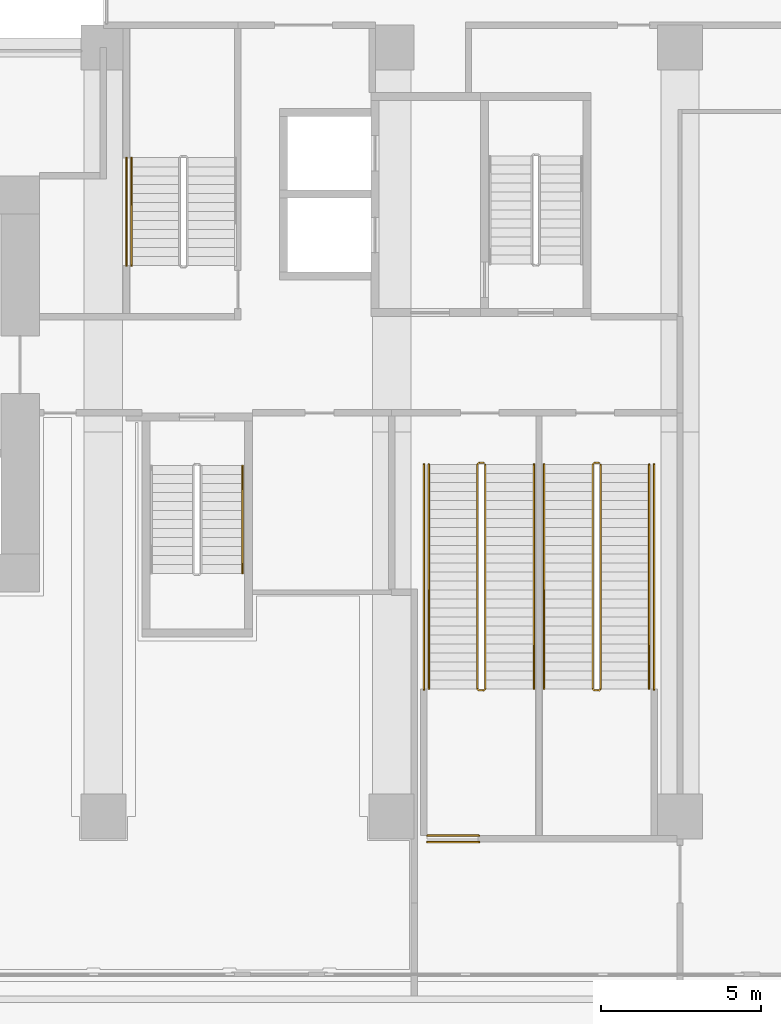
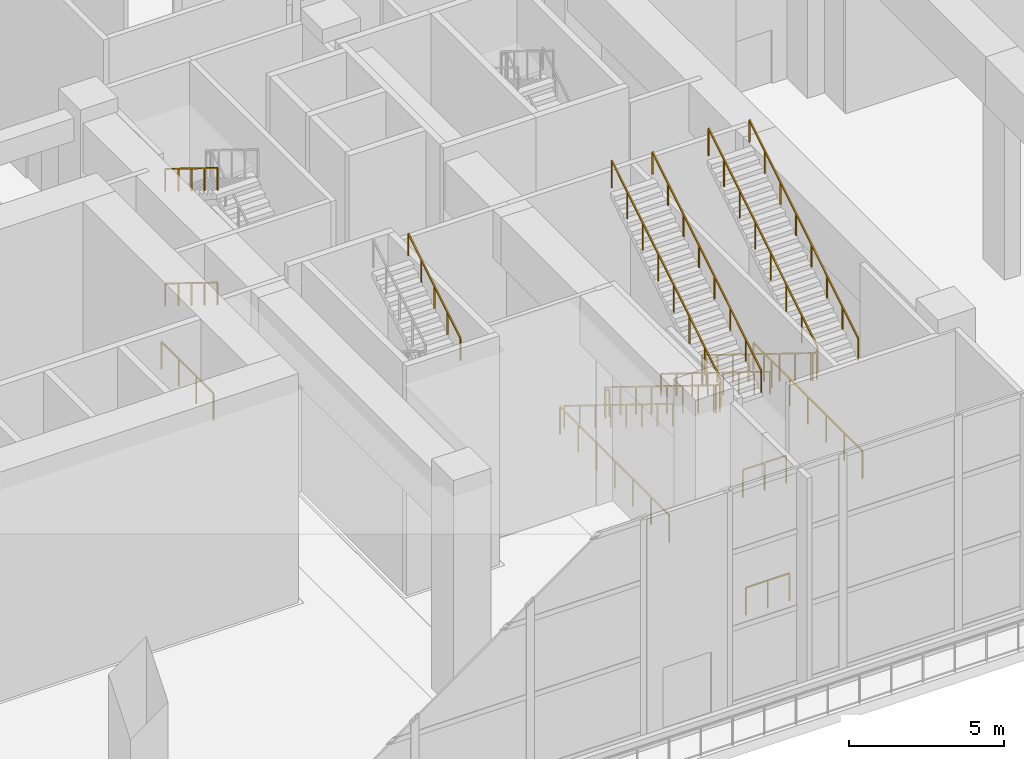
# One storey, part 22 of 28: 14 railings.
"""IFC4 building model written with IfcOpenShell, lengths in metres."""

from ifc_helpers import new_model, si_unit, direction, frame, origin, origin_2d, place, context, subcontext, project, spatial, rectangle, extrude, material, type_object, element, save


model = new_model("IFC4")

# Units and contexts
model_context = context("Model", 3, precision=1e-05, world=origin(), true_north=direction((0.0, 1.0)))
body_context = subcontext(model_context, "Body", "Model", "MODEL_VIEW")
ifc_project = project(units=[si_unit("LENGTHUNIT", "METRE"), si_unit("AREAUNIT", "SQUARE_METRE"), si_unit("VOLUMEUNIT", "CUBIC_METRE"), si_unit("PLANEANGLEUNIT", "RADIAN"), si_unit("MASSUNIT", "GRAM", prefix="KILO")], contexts=[model_context])

# Site, building, storey
site_placement = place(None, origin())
site = spatial("IfcSite", under=ifc_project, at=site_placement, CompositionType="ELEMENT")
building_placement = place(site_placement, origin())
building = spatial("IfcBuilding", under=site, at=building_placement, Name="Chenar Terraces", CompositionType="ELEMENT")
storey_placement = place(building_placement, frame((0.0, 0.0, 26.39990234375)))
storey = spatial("IfcBuildingStorey", under=building, at=storey_placement, Name="L05", CompositionType="ELEMENT", Elevation=26.39990234375)

# Railings
ifc_material_1 = material(Name="Powder-coated steel", Category="steel")
railing_type_1 = type_object("IfcRailingType", Name="Stair guard 1100", PredefinedType="GUARDRAIL", material=ifc_material_1)
railing_1_placement = place(storey_placement, frame((51.52490234375, 10.985107421875, 9.0)))
element("IfcRailing", 1, at=railing_1_placement, inside=storey, type_object=railing_type_1, Name="L05 PS2 stair guard 1", PredefinedType="GUARDRAIL", context=body_context, shape_type="SweptSolid", body=[
    extrude(rectangle(XDim=0.048095703125, YDim=0.048095703125, at=origin_2d()), frame((0.0, 0.0, 1.076171875), z_axis=(0.0, -0.850614592968, -0.525789705328), x_axis=(1.0, 0.0, 0.0)), (0.0, 0.0, 1.0), 8.229248046875),
    extrude(rectangle(XDim=0.048095703125, YDim=0.048095703125, at=origin_2d()), frame((0.0, -7.0, -3.2509765625), z_axis=(-0.266417085129, -0.267723051232, -0.925929967433), x_axis=(0.708833529934, -0.705375805398, 0.0)), (0.0, 0.0, 1.0), 0.18701171875),
    extrude(rectangle(XDim=0.048095703125, YDim=0.048095703125, at=origin_2d()), frame((-0.0498046875, -7.050048828125, -3.423828125), z_axis=(-1.0, 0.0, 0.0), x_axis=(0.0, -1.0, 0.0)), (0.0, 0.0, 1.0), 0.150146484375),
    extrude(rectangle(XDim=0.048095703125, YDim=0.048095703125, at=origin_2d()), frame((-0.199951171875, -7.050048828125, -3.423828125), z_axis=(-0.707106781187, 0.707106781187, 0.0), x_axis=(-0.707106781187, -0.707106781187, 0.0)), (0.0, 0.0, 1.0), 0.07080078125),
    extrude(rectangle(XDim=0.048095703125, YDim=0.048095703125, at=origin_2d()), frame((-0.25, -7.0, -3.423828125), z_axis=(0.0, 0.850614592968, -0.525789705328), x_axis=(-1.0, 0.0, 0.0)), (0.0, 0.0, 1.0), 8.229248046875),
    extrude(rectangle(XDim=0.048095703125, YDim=0.048095703125, at=origin_2d()), frame((-0.25, 0.0, -7.7509765625), z_axis=(0.267723051232, 0.266417085129, -0.925929967433), x_axis=(-0.705375805398, 0.708833529934, 0.0)), (0.0, 0.0, 1.0), 0.18701171875),
    extrude(rectangle(XDim=0.048095703125, YDim=0.048095703125, at=origin_2d()), frame((-0.199951171875, 0.0498046875, -7.923828125), z_axis=(1.0, 0.0, 0.0), x_axis=(0.0, 1.0, 0.0)), (0.0, 0.0, 1.0), 0.150146484375),
    extrude(rectangle(XDim=0.0419921875, YDim=0.0419921875, at=origin_2d()), origin(), (0.0, 0.0, 1.0), 1.052001953125),
    extrude(rectangle(XDim=0.0419921875, YDim=0.0419921875, at=origin_2d()), frame((0.0, -1.0, -0.6181640625)), (0.0, 0.0, 1.0), 1.052001953125),
    extrude(rectangle(XDim=0.0419921875, YDim=0.0419921875, at=origin_2d()), frame((0.0, -2.0, -1.236328125)), (0.0, 0.0, 1.0), 1.052001953125),
    extrude(rectangle(XDim=0.0419921875, YDim=0.0419921875, at=origin_2d()), frame((0.0, -3.0, -1.8544921875)), (0.0, 0.0, 1.0), 1.052001953125),
    extrude(rectangle(XDim=0.0419921875, YDim=0.0419921875, at=origin_2d()), frame((0.0, -4.0, -2.472412109375)), (0.0, 0.0, 1.0), 1.052001953125),
    extrude(rectangle(XDim=0.0419921875, YDim=0.0419921875, at=origin_2d()), frame((0.0, -5.0, -3.090576171875)), (0.0, 0.0, 1.0), 1.052001953125),
    extrude(rectangle(XDim=0.0419921875, YDim=0.0419921875, at=origin_2d()), frame((0.0, -6.0, -3.708740234375)), (0.0, 0.0, 1.0), 1.052001953125),
    extrude(rectangle(XDim=0.0419921875, YDim=0.0419921875, at=origin_2d()), frame((0.0, -7.0, -4.326904296875)), (0.0, 0.0, 1.0), 1.052001953125),
    extrude(rectangle(XDim=0.0419921875, YDim=0.0419921875, at=origin_2d()), frame((-0.0498046875, -7.050048828125, -4.5)), (0.0, 0.0, 1.0), 1.052001953125),
    extrude(rectangle(XDim=0.0419921875, YDim=0.0419921875, at=origin_2d()), frame((-0.199951171875, -7.050048828125, -4.5)), (0.0, 0.0, 1.0), 1.052001953125),
    extrude(rectangle(XDim=0.0419921875, YDim=0.0419921875, at=origin_2d()), frame((-0.25, -7.0, -4.5)), (0.0, 0.0, 1.0), 1.052001953125),
    extrude(rectangle(XDim=0.0419921875, YDim=0.0419921875, at=origin_2d()), frame((-0.25, -6.0, -5.1181640625)), (0.0, 0.0, 1.0), 1.052001953125),
    extrude(rectangle(XDim=0.0419921875, YDim=0.0419921875, at=origin_2d()), frame((-0.25, -5.0, -5.736328125)), (0.0, 0.0, 1.0), 1.052001953125),
    extrude(rectangle(XDim=0.0419921875, YDim=0.0419921875, at=origin_2d()), frame((-0.25, -4.0, -6.3544921875)), (0.0, 0.0, 1.0), 1.052001953125),
    extrude(rectangle(XDim=0.0419921875, YDim=0.0419921875, at=origin_2d()), frame((-0.25, -3.0, -6.972412109375)), (0.0, 0.0, 1.0), 1.052001953125),
    extrude(rectangle(XDim=0.0419921875, YDim=0.0419921875, at=origin_2d()), frame((-0.25, -2.0, -7.590576171875)), (0.0, 0.0, 1.0), 1.052001953125),
    extrude(rectangle(XDim=0.0419921875, YDim=0.0419921875, at=origin_2d()), frame((-0.25, -1.0, -8.208740234375)), (0.0, 0.0, 1.0), 1.052001953125),
    extrude(rectangle(XDim=0.0419921875, YDim=0.0419921875, at=origin_2d()), frame((-0.25, 0.0, -8.826904296875)), (0.0, 0.0, 1.0), 1.052001953125),
    extrude(rectangle(XDim=0.0419921875, YDim=0.0419921875, at=origin_2d()), frame((-0.199951171875, 0.0498046875, -9.0)), (0.0, 0.0, 1.0), 1.052001953125),
    extrude(rectangle(XDim=0.0419921875, YDim=0.0419921875, at=origin_2d()), frame((-0.0498046875, 0.0498046875, -9.0)), (0.0, 0.0, 1.0), 1.052001953125),
])
railing_2_placement = place(storey_placement, frame((47.925048828125, 10.985107421875, 9.0)))
element("IfcRailing", 2, at=railing_2_placement, inside=storey, type_object=railing_type_1, Name="L05 PS6 stair guard 1", PredefinedType="GUARDRAIL", context=body_context, shape_type="SweptSolid", body=[
    extrude(rectangle(XDim=0.048095703125, YDim=0.048095703125, at=origin_2d()), frame((0.0, 0.0, 1.076171875), z_axis=(0.0, -0.850614592968, -0.525789705328), x_axis=(1.0, 0.0, 0.0)), (0.0, 0.0, 1.0), 8.229248046875),
    extrude(rectangle(XDim=0.048095703125, YDim=0.048095703125, at=origin_2d()), frame((0.0, -7.0, -3.2509765625), z_axis=(-0.267629722418, -0.267629722418, -0.925607186314), x_axis=(0.707106781187, -0.707106781187, 0.0)), (0.0, 0.0, 1.0), 0.18701171875),
    extrude(rectangle(XDim=0.048095703125, YDim=0.048095703125, at=origin_2d()), frame((-0.050048828125, -7.050048828125, -3.423828125), z_axis=(-1.0, 0.0, 0.0), x_axis=(0.0, -1.0, 0.0)), (0.0, 0.0, 1.0), 0.14990234375),
    extrude(rectangle(XDim=0.048095703125, YDim=0.048095703125, at=origin_2d()), frame((-0.199951171875, -7.050048828125, -3.423828125), z_axis=(-0.707106781187, 0.707106781187, 0.0), x_axis=(-0.707106781187, -0.707106781187, 0.0)), (0.0, 0.0, 1.0), 0.07080078125),
    extrude(rectangle(XDim=0.048095703125, YDim=0.048095703125, at=origin_2d()), frame((-0.25, -7.0, -3.423828125), z_axis=(0.0, 0.850614592968, -0.525789705328), x_axis=(-1.0, 0.0, 0.0)), (0.0, 0.0, 1.0), 8.229248046875),
    extrude(rectangle(XDim=0.048095703125, YDim=0.048095703125, at=origin_2d()), frame((-0.25, 0.0, -7.7509765625), z_axis=(0.267723051232, 0.266417085129, -0.925929967433), x_axis=(-0.705375805398, 0.708833529934, 0.0)), (0.0, 0.0, 1.0), 0.18701171875),
    extrude(rectangle(XDim=0.048095703125, YDim=0.048095703125, at=origin_2d()), frame((-0.199951171875, 0.0498046875, -7.923828125), z_axis=(1.0, 0.0, 0.0), x_axis=(0.0, 1.0, 0.0)), (0.0, 0.0, 1.0), 0.14990234375),
    extrude(rectangle(XDim=0.0419921875, YDim=0.0419921875, at=origin_2d()), origin(), (0.0, 0.0, 1.0), 1.052001953125),
    extrude(rectangle(XDim=0.0419921875, YDim=0.0419921875, at=origin_2d()), frame((0.0, -1.0, -0.6181640625)), (0.0, 0.0, 1.0), 1.052001953125),
    extrude(rectangle(XDim=0.0419921875, YDim=0.0419921875, at=origin_2d()), frame((0.0, -2.0, -1.236328125)), (0.0, 0.0, 1.0), 1.052001953125),
    extrude(rectangle(XDim=0.0419921875, YDim=0.0419921875, at=origin_2d()), frame((0.0, -3.0, -1.8544921875)), (0.0, 0.0, 1.0), 1.052001953125),
    extrude(rectangle(XDim=0.0419921875, YDim=0.0419921875, at=origin_2d()), frame((0.0, -4.0, -2.472412109375)), (0.0, 0.0, 1.0), 1.052001953125),
    extrude(rectangle(XDim=0.0419921875, YDim=0.0419921875, at=origin_2d()), frame((0.0, -5.0, -3.090576171875)), (0.0, 0.0, 1.0), 1.052001953125),
    extrude(rectangle(XDim=0.0419921875, YDim=0.0419921875, at=origin_2d()), frame((0.0, -6.0, -3.708740234375)), (0.0, 0.0, 1.0), 1.052001953125),
    extrude(rectangle(XDim=0.0419921875, YDim=0.0419921875, at=origin_2d()), frame((0.0, -7.0, -4.326904296875)), (0.0, 0.0, 1.0), 1.052001953125),
    extrude(rectangle(XDim=0.0419921875, YDim=0.0419921875, at=origin_2d()), frame((-0.050048828125, -7.050048828125, -4.5)), (0.0, 0.0, 1.0), 1.052001953125),
    extrude(rectangle(XDim=0.0419921875, YDim=0.0419921875, at=origin_2d()), frame((-0.199951171875, -7.050048828125, -4.5)), (0.0, 0.0, 1.0), 1.052001953125),
    extrude(rectangle(XDim=0.0419921875, YDim=0.0419921875, at=origin_2d()), frame((-0.25, -7.0, -4.5)), (0.0, 0.0, 1.0), 1.052001953125),
    extrude(rectangle(XDim=0.0419921875, YDim=0.0419921875, at=origin_2d()), frame((-0.25, -6.0, -5.1181640625)), (0.0, 0.0, 1.0), 1.052001953125),
    extrude(rectangle(XDim=0.0419921875, YDim=0.0419921875, at=origin_2d()), frame((-0.25, -5.0, -5.736328125)), (0.0, 0.0, 1.0), 1.052001953125),
    extrude(rectangle(XDim=0.0419921875, YDim=0.0419921875, at=origin_2d()), frame((-0.25, -4.0, -6.3544921875)), (0.0, 0.0, 1.0), 1.052001953125),
    extrude(rectangle(XDim=0.0419921875, YDim=0.0419921875, at=origin_2d()), frame((-0.25, -3.0, -6.972412109375)), (0.0, 0.0, 1.0), 1.052001953125),
    extrude(rectangle(XDim=0.0419921875, YDim=0.0419921875, at=origin_2d()), frame((-0.25, -2.0, -7.590576171875)), (0.0, 0.0, 1.0), 1.052001953125),
    extrude(rectangle(XDim=0.0419921875, YDim=0.0419921875, at=origin_2d()), frame((-0.25, -1.0, -8.208740234375)), (0.0, 0.0, 1.0), 1.052001953125),
    extrude(rectangle(XDim=0.0419921875, YDim=0.0419921875, at=origin_2d()), frame((-0.25, 0.0, -8.826904296875)), (0.0, 0.0, 1.0), 1.052001953125),
    extrude(rectangle(XDim=0.0419921875, YDim=0.0419921875, at=origin_2d()), frame((-0.199951171875, 0.0498046875, -9.0)), (0.0, 0.0, 1.0), 1.052001953125),
    extrude(rectangle(XDim=0.0419921875, YDim=0.0419921875, at=origin_2d()), frame((-0.050048828125, 0.0498046875, -9.0)), (0.0, 0.0, 1.0), 1.052001953125),
])
railing_3_placement = place(storey_placement, frame((36.72509765625, 20.550048828125, 0.0)))
element("IfcRailing", 3, at=railing_3_placement, inside=storey, type_object=railing_type_1, Name="L05 PS1 stair guard 101", PredefinedType="GUARDRAIL", context=body_context, shape_type="SweptSolid", body=[
    extrude(rectangle(XDim=0.048095703125, YDim=0.048095703125, at=origin_2d()), frame((0.0, 0.0, 1.076171875), z_axis=(0.0, -1.0, 0.0), x_axis=(1.0, 0.0, 0.0)), (0.0, 0.0, 1.0), 3.35009765625),
    extrude(rectangle(XDim=0.0419921875, YDim=0.0419921875, at=origin_2d()), origin(), (0.0, 0.0, 1.0), 1.052001953125),
    extrude(rectangle(XDim=0.0419921875, YDim=0.0419921875, at=origin_2d()), frame((0.0, -1.11669921875, 0.0)), (0.0, 0.0, 1.0), 1.052001953125),
    extrude(rectangle(XDim=0.0419921875, YDim=0.0419921875, at=origin_2d()), frame((0.0, -2.2333984375, 0.0)), (0.0, 0.0, 1.0), 1.052001953125),
    extrude(rectangle(XDim=0.0419921875, YDim=0.0419921875, at=origin_2d()), frame((0.0, -3.35009765625, 0.0)), (0.0, 0.0, 1.0), 1.052001953125),
])
railing_4_placement = place(storey_placement, frame((53.18994140625, 3.964111328125, 0.0)))
element("IfcRailing", 4, at=railing_4_placement, inside=storey, type_object=railing_type_1, Name="L05 PS2 stair guard 101", PredefinedType="GUARDRAIL", context=body_context, shape_type="SweptSolid", body=[
    extrude(rectangle(XDim=0.048095703125, YDim=0.048095703125, at=origin_2d()), frame((0.0, 0.0, 1.076171875), z_axis=(0.0, 1.0, 0.0), x_axis=(-1.0, 0.0, 0.0)), (0.0, 0.0, 1.0), 7.02099609375),
    extrude(rectangle(XDim=0.0419921875, YDim=0.0419921875, at=origin_2d()), origin(), (0.0, 0.0, 1.0), 1.052001953125),
    extrude(rectangle(XDim=0.0419921875, YDim=0.0419921875, at=origin_2d()), frame((0.0, 1.170166015625, 0.0)), (0.0, 0.0, 1.0), 1.052001953125),
    extrude(rectangle(XDim=0.0419921875, YDim=0.0419921875, at=origin_2d()), frame((0.0, 2.34033203125, 0.0)), (0.0, 0.0, 1.0), 1.052001953125),
    extrude(rectangle(XDim=0.0419921875, YDim=0.0419921875, at=origin_2d()), frame((0.0, 3.510498046875, 0.0)), (0.0, 0.0, 1.0), 1.052001953125),
    extrude(rectangle(XDim=0.0419921875, YDim=0.0419921875, at=origin_2d()), frame((0.0, 4.6806640625, 0.0)), (0.0, 0.0, 1.0), 1.052001953125),
    extrude(rectangle(XDim=0.0419921875, YDim=0.0419921875, at=origin_2d()), frame((0.0, 5.850830078125, 0.0)), (0.0, 0.0, 1.0), 1.052001953125),
    extrude(rectangle(XDim=0.0419921875, YDim=0.0419921875, at=origin_2d()), frame((0.0, 7.02099609375, 0.0)), (0.0, 0.0, 1.0), 1.052001953125),
])
railing_5_placement = place(storey_placement, frame((46.010009765625, 10.985107421875, 0.0)))
element("IfcRailing", 5, at=railing_5_placement, inside=storey, type_object=railing_type_1, Name="L05 PS6 stair guard 101", PredefinedType="GUARDRAIL", context=body_context, shape_type="SweptSolid", body=[
    extrude(rectangle(XDim=0.048095703125, YDim=0.048095703125, at=origin_2d()), frame((0.0, 0.0, 1.076171875), z_axis=(0.0, -1.0, 0.0), x_axis=(1.0, 0.0, 0.0)), (0.0, 0.0, 1.0), 7.02099609375),
    extrude(rectangle(XDim=0.0419921875, YDim=0.0419921875, at=origin_2d()), origin(), (0.0, 0.0, 1.0), 1.052001953125),
    extrude(rectangle(XDim=0.0419921875, YDim=0.0419921875, at=origin_2d()), frame((0.0, -1.170166015625, 0.0)), (0.0, 0.0, 1.0), 1.052001953125),
    extrude(rectangle(XDim=0.0419921875, YDim=0.0419921875, at=origin_2d()), frame((0.0, -2.34033203125, 0.0)), (0.0, 0.0, 1.0), 1.052001953125),
    extrude(rectangle(XDim=0.0419921875, YDim=0.0419921875, at=origin_2d()), frame((0.0, -3.510498046875, 0.0)), (0.0, 0.0, 1.0), 1.052001953125),
    extrude(rectangle(XDim=0.0419921875, YDim=0.0419921875, at=origin_2d()), frame((0.0, -4.6806640625, 0.0)), (0.0, 0.0, 1.0), 1.052001953125),
    extrude(rectangle(XDim=0.0419921875, YDim=0.0419921875, at=origin_2d()), frame((0.0, -5.850830078125, 0.0)), (0.0, 0.0, 1.0), 1.052001953125),
    extrude(rectangle(XDim=0.0419921875, YDim=0.0419921875, at=origin_2d()), frame((0.0, -7.02099609375, 0.0)), (0.0, 0.0, 1.0), 1.052001953125),
])
for number, where, name in (
    (6, (46.110107421875, -0.800048828125, 0.0), "L05 PS6 stair guard 102"),
    (7, (46.110107421875, -0.60009765625, 4.5), "L05 PS6 stair guard 201"),
):
    element("IfcRailing", number, at=place(storey_placement, frame(where)), inside=storey, type_object=railing_type_1, Name=name, PredefinedType="GUARDRAIL", context=body_context, shape_type="SweptSolid", body=[
        extrude(rectangle(XDim=0.048095703125, YDim=0.048095703125, at=origin_2d()), frame((0.0, 0.0, 1.076171875), z_axis=(1.0, 0.0, 0.0), x_axis=(0.0, 1.0, 0.0)), (0.0, 0.0, 1.0), 1.61376953125),
        extrude(rectangle(XDim=0.0419921875, YDim=0.0419921875, at=origin_2d()), origin(), (0.0, 0.0, 1.0), 1.052001953125),
        extrude(rectangle(XDim=0.0419921875, YDim=0.0419921875, at=origin_2d()), frame((0.806884765625, 0.0, 0.0)), (0.0, 0.0, 1.0), 1.052001953125),
        extrude(rectangle(XDim=0.0419921875, YDim=0.0419921875, at=origin_2d()), frame((1.61376953125, 0.0, 0.0)), (0.0, 0.0, 1.0), 1.052001953125),
    ])
ifc_material_2 = material(Name="Powder-coated steel", Category="steel")
railing_type_2 = type_object("IfcRailingType", Name="Stair handrail 900", PredefinedType="HANDRAIL", material=ifc_material_2)
railing_6_placement = place(storey_placement, frame((40.35009765625, 7.590087890625, 6.923095703125)))
element("IfcRailing", 8, at=railing_6_placement, inside=storey, type_object=railing_type_2, Name="L05 ST2 stair handrail 4", PredefinedType="HANDRAIL", context=body_context, shape_type="SweptSolid", body=[
    extrude(rectangle(XDim=0.048095703125, YDim=0.048095703125, at=origin_2d()), frame((0.0, 0.0, 0.8759765625), z_axis=(0.0, 0.850606129759, 0.525803396734), x_axis=(-1.0, 0.0, 0.0)), (0.0, 0.0, 1.0), 3.949951171875),
    extrude(rectangle(XDim=0.0419921875, YDim=0.0419921875, at=origin_2d()), origin(), (0.0, 0.0, 1.0), 0.851806640625),
    extrude(rectangle(XDim=0.0419921875, YDim=0.0419921875, at=origin_2d()), frame((0.0, 0.83984375, 0.519287109375)), (0.0, 0.0, 1.0), 0.851806640625),
    extrude(rectangle(XDim=0.0419921875, YDim=0.0419921875, at=origin_2d()), frame((0.0, 1.679931640625, 1.03857421875)), (0.0, 0.0, 1.0), 0.851806640625),
    extrude(rectangle(XDim=0.0419921875, YDim=0.0419921875, at=origin_2d()), frame((0.0, 2.52001953125, 1.5576171875)), (0.0, 0.0, 1.0), 0.851806640625),
    extrude(rectangle(XDim=0.0419921875, YDim=0.0419921875, at=origin_2d()), frame((0.0, 3.35986328125, 2.076904296875)), (0.0, 0.0, 1.0), 0.851806640625),
])
for number, where, name in (
    (9, (36.875, 20.56005859375, 2.423095703125), "L05 PS1 stair handrail 2"),
    (10, (36.875, 20.56005859375, 6.923095703125), "L05 PS1 stair handrail 4"),
):
    element("IfcRailing", number, at=place(storey_placement, frame(where)), inside=storey, type_object=railing_type_2, Name=name, PredefinedType="HANDRAIL", context=body_context, shape_type="SweptSolid", body=[
        extrude(rectangle(XDim=0.048095703125, YDim=0.048095703125, at=origin_2d()), frame((0.0, 0.0, 0.8759765625), z_axis=(0.0, -0.850623216509, 0.525775754039), x_axis=(1.0, 0.0, 0.0)), (0.0, 0.0, 1.0), 3.9501953125),
        extrude(rectangle(XDim=0.0419921875, YDim=0.0419921875, at=origin_2d()), origin(), (0.0, 0.0, 1.0), 0.851806640625),
        extrude(rectangle(XDim=0.0419921875, YDim=0.0419921875, at=origin_2d()), frame((0.0, -0.840087890625, 0.519287109375)), (0.0, 0.0, 1.0), 0.851806640625),
        extrude(rectangle(XDim=0.0419921875, YDim=0.0419921875, at=origin_2d()), frame((0.0, -1.68017578125, 1.03857421875)), (0.0, 0.0, 1.0), 0.851806640625),
        extrude(rectangle(XDim=0.0419921875, YDim=0.0419921875, at=origin_2d()), frame((0.0, -2.52001953125, 1.5576171875)), (0.0, 0.0, 1.0), 0.851806640625),
        extrude(rectangle(XDim=0.0419921875, YDim=0.0419921875, at=origin_2d()), frame((0.0, -3.360107421875, 2.076904296875)), (0.0, 0.0, 1.0), 0.851806640625),
    ])
railing_7_placement = place(storey_placement, frame((49.760009765625, 10.985107421875, 0.173095703125)))
element("IfcRailing", 11, at=railing_7_placement, inside=storey, type_object=railing_type_2, Name="L05 PS2 stair handrail 1", PredefinedType="HANDRAIL", context=body_context, shape_type="SweptSolid", body=[
    extrude(rectangle(XDim=0.048095703125, YDim=0.048095703125, at=origin_2d()), frame((0.0, 0.0, 0.8759765625), z_axis=(0.0, -0.850614592968, 0.525789705328), x_axis=(1.0, 0.0, 0.0)), (0.0, 0.0, 1.0), 8.229248046875),
    extrude(rectangle(XDim=0.0419921875, YDim=0.0419921875, at=origin_2d()), origin(), (0.0, 0.0, 1.0), 0.851806640625),
    extrude(rectangle(XDim=0.0419921875, YDim=0.0419921875, at=origin_2d()), frame((0.0, -1.0, 0.6181640625)), (0.0, 0.0, 1.0), 0.851806640625),
    extrude(rectangle(XDim=0.0419921875, YDim=0.0419921875, at=origin_2d()), frame((0.0, -2.0, 1.236328125)), (0.0, 0.0, 1.0), 0.851806640625),
    extrude(rectangle(XDim=0.0419921875, YDim=0.0419921875, at=origin_2d()), frame((0.0, -3.0, 1.8544921875)), (0.0, 0.0, 1.0), 0.851806640625),
    extrude(rectangle(XDim=0.0419921875, YDim=0.0419921875, at=origin_2d()), frame((0.0, -4.0, 2.472412109375)), (0.0, 0.0, 1.0), 0.851806640625),
    extrude(rectangle(XDim=0.0419921875, YDim=0.0419921875, at=origin_2d()), frame((0.0, -5.0, 3.090576171875)), (0.0, 0.0, 1.0), 0.851806640625),
    extrude(rectangle(XDim=0.0419921875, YDim=0.0419921875, at=origin_2d()), frame((0.0, -6.0, 3.708740234375)), (0.0, 0.0, 1.0), 0.851806640625),
    extrude(rectangle(XDim=0.0419921875, YDim=0.0419921875, at=origin_2d()), frame((0.0, -7.0, 4.326904296875)), (0.0, 0.0, 1.0), 0.851806640625),
])
railing_8_placement = place(storey_placement, frame((53.0400390625, 3.985107421875, 4.673095703125)))
element("IfcRailing", 12, at=railing_8_placement, inside=storey, type_object=railing_type_2, Name="L05 PS2 stair handrail 2", PredefinedType="HANDRAIL", context=body_context, shape_type="SweptSolid", body=[
    extrude(rectangle(XDim=0.048095703125, YDim=0.048095703125, at=origin_2d()), frame((0.0, 0.0, 0.8759765625), z_axis=(0.0, 0.850614592968, 0.525789705328), x_axis=(-1.0, 0.0, 0.0)), (0.0, 0.0, 1.0), 8.229248046875),
    extrude(rectangle(XDim=0.0419921875, YDim=0.0419921875, at=origin_2d()), origin(), (0.0, 0.0, 1.0), 0.851806640625),
    extrude(rectangle(XDim=0.0419921875, YDim=0.0419921875, at=origin_2d()), frame((0.0, 1.0, 0.6181640625)), (0.0, 0.0, 1.0), 0.851806640625),
    extrude(rectangle(XDim=0.0419921875, YDim=0.0419921875, at=origin_2d()), frame((0.0, 2.0, 1.236328125)), (0.0, 0.0, 1.0), 0.851806640625),
    extrude(rectangle(XDim=0.0419921875, YDim=0.0419921875, at=origin_2d()), frame((0.0, 3.0, 1.8544921875)), (0.0, 0.0, 1.0), 0.851806640625),
    extrude(rectangle(XDim=0.0419921875, YDim=0.0419921875, at=origin_2d()), frame((0.0, 4.0, 2.472412109375)), (0.0, 0.0, 1.0), 0.851806640625),
    extrude(rectangle(XDim=0.0419921875, YDim=0.0419921875, at=origin_2d()), frame((0.0, 5.0, 3.090576171875)), (0.0, 0.0, 1.0), 0.851806640625),
    extrude(rectangle(XDim=0.0419921875, YDim=0.0419921875, at=origin_2d()), frame((0.0, 6.0, 3.708740234375)), (0.0, 0.0, 1.0), 0.851806640625),
    extrude(rectangle(XDim=0.0419921875, YDim=0.0419921875, at=origin_2d()), frame((0.0, 7.0, 4.326904296875)), (0.0, 0.0, 1.0), 0.851806640625),
])
railing_9_placement = place(storey_placement, frame((46.159912109375, 10.985107421875, 0.173095703125)))
element("IfcRailing", 13, at=railing_9_placement, inside=storey, type_object=railing_type_2, Name="L05 PS6 stair handrail 1", PredefinedType="HANDRAIL", context=body_context, shape_type="SweptSolid", body=[
    extrude(rectangle(XDim=0.048095703125, YDim=0.048095703125, at=origin_2d()), frame((0.0, 0.0, 0.8759765625), z_axis=(0.0, -0.850614592968, 0.525789705328), x_axis=(1.0, 0.0, 0.0)), (0.0, 0.0, 1.0), 8.229248046875),
    extrude(rectangle(XDim=0.0419921875, YDim=0.0419921875, at=origin_2d()), origin(), (0.0, 0.0, 1.0), 0.851806640625),
    extrude(rectangle(XDim=0.0419921875, YDim=0.0419921875, at=origin_2d()), frame((0.0, -1.0, 0.6181640625)), (0.0, 0.0, 1.0), 0.851806640625),
    extrude(rectangle(XDim=0.0419921875, YDim=0.0419921875, at=origin_2d()), frame((0.0, -2.0, 1.236328125)), (0.0, 0.0, 1.0), 0.851806640625),
    extrude(rectangle(XDim=0.0419921875, YDim=0.0419921875, at=origin_2d()), frame((0.0, -3.0, 1.8544921875)), (0.0, 0.0, 1.0), 0.851806640625),
    extrude(rectangle(XDim=0.0419921875, YDim=0.0419921875, at=origin_2d()), frame((0.0, -4.0, 2.472412109375)), (0.0, 0.0, 1.0), 0.851806640625),
    extrude(rectangle(XDim=0.0419921875, YDim=0.0419921875, at=origin_2d()), frame((0.0, -5.0, 3.090576171875)), (0.0, 0.0, 1.0), 0.851806640625),
    extrude(rectangle(XDim=0.0419921875, YDim=0.0419921875, at=origin_2d()), frame((0.0, -6.0, 3.708740234375)), (0.0, 0.0, 1.0), 0.851806640625),
    extrude(rectangle(XDim=0.0419921875, YDim=0.0419921875, at=origin_2d()), frame((0.0, -7.0, 4.326904296875)), (0.0, 0.0, 1.0), 0.851806640625),
])
railing_10_placement = place(storey_placement, frame((49.43994140625, 3.985107421875, 4.673095703125)))
element("IfcRailing", 14, at=railing_10_placement, inside=storey, type_object=railing_type_2, Name="L05 PS6 stair handrail 2", PredefinedType="HANDRAIL", context=body_context, shape_type="SweptSolid", body=[
    extrude(rectangle(XDim=0.048095703125, YDim=0.048095703125, at=origin_2d()), frame((0.0, 0.0, 0.8759765625), z_axis=(0.0, 0.850614592968, 0.525789705328), x_axis=(-1.0, 0.0, 0.0)), (0.0, 0.0, 1.0), 8.229248046875),
    extrude(rectangle(XDim=0.0419921875, YDim=0.0419921875, at=origin_2d()), origin(), (0.0, 0.0, 1.0), 0.851806640625),
    extrude(rectangle(XDim=0.0419921875, YDim=0.0419921875, at=origin_2d()), frame((0.0, 1.0, 0.6181640625)), (0.0, 0.0, 1.0), 0.851806640625),
    extrude(rectangle(XDim=0.0419921875, YDim=0.0419921875, at=origin_2d()), frame((0.0, 2.0, 1.236328125)), (0.0, 0.0, 1.0), 0.851806640625),
    extrude(rectangle(XDim=0.0419921875, YDim=0.0419921875, at=origin_2d()), frame((0.0, 3.0, 1.8544921875)), (0.0, 0.0, 1.0), 0.851806640625),
    extrude(rectangle(XDim=0.0419921875, YDim=0.0419921875, at=origin_2d()), frame((0.0, 4.0, 2.472412109375)), (0.0, 0.0, 1.0), 0.851806640625),
    extrude(rectangle(XDim=0.0419921875, YDim=0.0419921875, at=origin_2d()), frame((0.0, 5.0, 3.090576171875)), (0.0, 0.0, 1.0), 0.851806640625),
    extrude(rectangle(XDim=0.0419921875, YDim=0.0419921875, at=origin_2d()), frame((0.0, 6.0, 3.708740234375)), (0.0, 0.0, 1.0), 0.851806640625),
    extrude(rectangle(XDim=0.0419921875, YDim=0.0419921875, at=origin_2d()), frame((0.0, 7.0, 4.326904296875)), (0.0, 0.0, 1.0), 0.851806640625),
])

save(model, "model.ifc")
